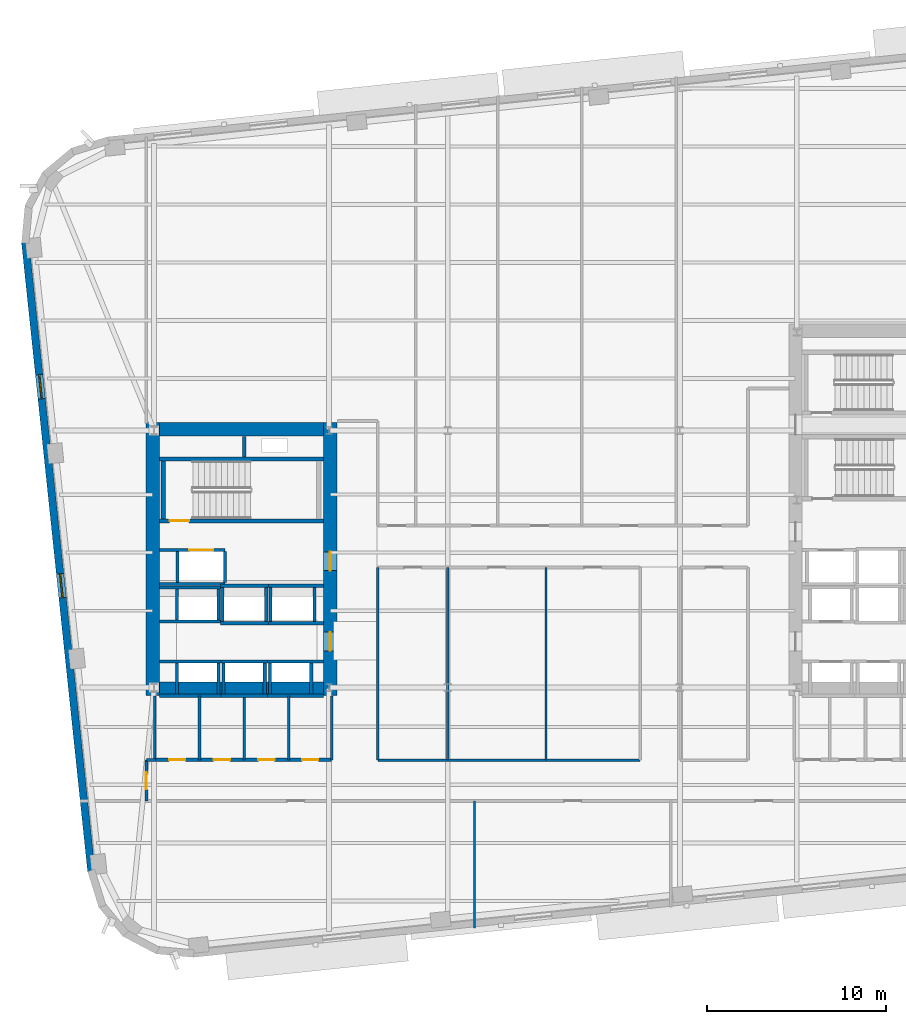
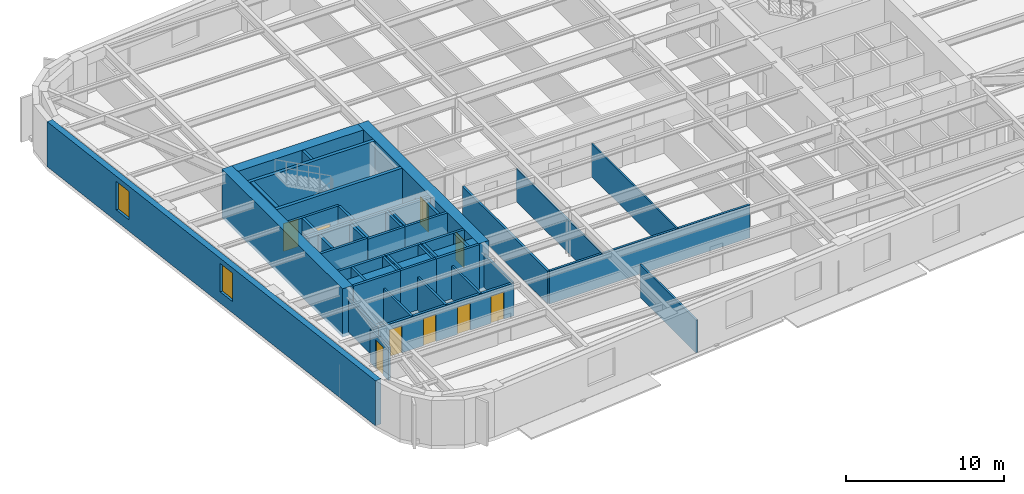
# One storey, part 4 of 15: 50 walls, 9 doors, 2 windows, 11 openings.
"""IFC4 building model written with IfcOpenShell, lengths in metres."""

from ifc_helpers import new_model, si_unit, direction, frame, frame_2d, origin, place, context, subcontext, project, spatial, rectangle, extrude, material, layer, layer_set, type_object, element, fill, save


model = new_model("IFC4")

# Units and contexts
model_context = context("Model", 3, precision=1e-05, world=origin(), true_north=direction((0.0, 1.0)))
body_context = subcontext(model_context, "Body", "Model", "MODEL_VIEW")
ifc_project = project(units=[si_unit("LENGTHUNIT", "METRE"), si_unit("AREAUNIT", "SQUARE_METRE"), si_unit("VOLUMEUNIT", "CUBIC_METRE"), si_unit("PLANEANGLEUNIT", "RADIAN"), si_unit("MASSUNIT", "GRAM", prefix="KILO")], contexts=[model_context])

# Site, building, storey
site_placement = place(None, origin())
site = spatial("IfcSite", under=ifc_project, at=site_placement, CompositionType="ELEMENT")
building_placement = place(site_placement, origin())
building = spatial("IfcBuilding", under=site, at=building_placement, Name="Kolvaren Arena Tower", CompositionType="ELEMENT")
storey_placement = place(building_placement, frame((0.0, 0.0, 118.449951171875)))
storey = spatial("IfcBuildingStorey", under=building, at=storey_placement, Name="L27", CompositionType="ELEMENT", Elevation=118.449951171875)

# Walls
ifc_material_1 = material(Name="Gypsum board acoustic assembly", Category="gypsum")
ifc_layer_1 = layer(ifc_material_1, 0.159912109375)
ifc_layer_set_1 = layer_set([ifc_layer_1], Name="Gypsum board acoustic assembly")
wall_type_1 = type_object("IfcWallType", Name="CORR-160", PredefinedType="PARTITIONING", material=ifc_layer_set_1)
wall_1_placement = place(storey_placement, frame((27.10009765625, 15.3798828125, 0.0), z_axis=(0.0, 0.0, 1.0), x_axis=(1.0, 0.0, 0.0)))
element("IfcWall", 1, at=wall_1_placement, inside=storey, type_object=wall_type_1, Name="Interior Partition Wall (L27)", PredefinedType="PARTITIONING", context=body_context, shape_type="SweptSolid", body=[
    extrude(rectangle(XDim=14.659912109375, YDim=0.159912109375, at=frame_2d((7.330078125, 0.0))), origin(), (0.0, 0.0, 1.0), 2.5400390625),
])
wall_2_placement = place(storey_placement, frame((27.080078125, 15.3798828125, 0.0), z_axis=(0.0, 0.0, 1.0), x_axis=(0.0, 1.0, 0.0)))
element("IfcWall", 2, at=wall_2_placement, inside=storey, type_object=wall_type_1, Name="Interior Partition Wall (L27)", PredefinedType="PARTITIONING", context=body_context, shape_type="SweptSolid", body=[
    extrude(rectangle(XDim=10.800048828125, YDim=0.159912109375, at=frame_2d((5.39990234375, 0.0))), origin(), (0.0, 0.0, 1.0), 2.5400390625),
])

# Wall, opening, door
wall_3_placement = place(storey_placement, frame((14.1201171875, 13.10009765625, 0.0), z_axis=(0.0, 0.0, 1.0), x_axis=(0.0, 1.0, 0.0)))
wall_3 = element("IfcWall", 3, at=wall_3_placement, inside=storey, type_object=wall_type_1, Name="Interior Partition Wall (L27)", PredefinedType="PARTITIONING", context=body_context, shape_type="SweptSolid", body=[
    extrude(rectangle(XDim=2.2998046875, YDim=0.159912109375, at=frame_2d((1.14990234375, 0.0))), origin(), (0.0, 0.0, 1.0), 2.5400390625),
])
opening_1_placement = place(wall_3_placement, frame((0.64990234375, 0.0, 0.0)))
opening_1 = element("IfcOpeningElement", 4, at=opening_1_placement, cuts=wall_3, Name="Opening D05", PredefinedType="OPENING", context=body_context, shape_type="SweptSolid", body=[
    extrude(rectangle(XDim=0.949951171875, YDim=2.14990234375, at=frame_2d((0.47509765625, 1.074951171875))), frame((0.0, 0.08984375, 0.0), z_axis=(0.0, -1.0, 0.0), x_axis=(1.0, 0.0, 0.0)), (0.0, 0.0, 1.0), 0.179931640625),
])
ifc_material_2 = material(Name="Solid-core oak acoustic office door", Category="wood")
door_type_1 = type_object("IfcDoorType", Name="DOOR-OF-095", OperationType="NOTDEFINED", PredefinedType="DOOR", material=ifc_material_2)
door_1_placement = place(opening_1_placement, origin())
door_1 = element("IfcDoor", 5, at=door_1_placement, inside=storey, type_object=door_type_1, Name="West Wing Office Door (L27)", OperationType="SINGLE_SWING_LEFT", OverallHeight=2.14990234375, OverallWidth=0.949951171875, PredefinedType="DOOR", context=body_context, shape_type="SweptSolid", body=[
    extrude(rectangle(XDim=0.949951171875, YDim=2.14990234375, at=frame_2d((0.47509765625, 1.074951171875))), frame((0.0, 0.02490234375, 0.0), z_axis=(0.0, -1.0, 0.0), x_axis=(1.0, 0.0, 0.0)), (0.0, 0.0, 1.0), 0.050048828125),
])
fill(opening_1, door_1)

# Walls
wall_4_placement = place(storey_placement, frame((14.1201171875, 15.39990234375, 0.0), z_axis=(0.0, 0.0, 1.0), x_axis=(1.0, 0.0, 0.0)))
element("IfcWall", 6, at=wall_4_placement, inside=storey, type_object=wall_type_1, Name="Interior Partition Wall (L27)", PredefinedType="PARTITIONING", context=body_context, shape_type="SweptSolid", body=[
    extrude(rectangle(XDim=0.5, YDim=0.159912109375, at=frame_2d((0.25, 0.0))), origin(), (0.0, 0.0, 1.0), 2.5400390625),
])
ifc_material_3 = material(Name="Concrete 70 MPa", Category="concrete")
ifc_layer_2 = layer(ifc_material_3, 0.75)
ifc_layer_set_2 = layer_set([ifc_layer_2], Name="Concrete 70 MPa")
wall_type_2 = type_object("IfcWallType", Name="CWALL-750", PredefinedType="SHEAR", material=ifc_layer_set_2)
wall_5_placement = place(storey_placement, frame((14.47509765625, 19.0, -0.27001953125), z_axis=(0.0, 0.0, 1.0), x_axis=(0.0, 1.0, 0.0)))
element("IfcWall", 7, at=wall_5_placement, inside=storey, type_object=wall_type_2, Name="Core Shear Wall WC-WEST (L27)", PredefinedType="SHEAR", context=body_context, shape_type="SweptSolid", body=[
    extrude(rectangle(XDim=15.300048828125, YDim=0.75, at=frame_2d((7.64990234375, 0.0))), origin(), (0.0, 0.0, 1.0), 3.75),
])

# Wall, openings, doors
wall_6_placement = place(storey_placement, frame((24.425048828125, 19.0, -0.27001953125), z_axis=(0.0, 0.0, 1.0), x_axis=(0.0, 1.0, 0.0)))
wall_6 = element("IfcWall", 8, at=wall_6_placement, inside=storey, type_object=wall_type_2, Name="Core Shear Wall WC-EAST (L27)", PredefinedType="SHEAR", context=body_context, shape_type="SweptSolid", body=[
    extrude(rectangle(XDim=15.300048828125, YDim=0.75, at=frame_2d((7.64990234375, 0.0))), origin(), (0.0, 0.0, 1.0), 3.75),
])
opening_2_placement = place(wall_6_placement, frame((2.5, 0.0, 0.27001953125)))
opening_2 = element("IfcOpeningElement", 9, at=opening_2_placement, cuts=wall_6, Name="Opening D04", PredefinedType="OPENING", context=body_context, shape_type="SweptSolid", body=[
    extrude(rectangle(XDim=1.050048828125, YDim=2.14990234375, at=frame_2d((0.52490234375, 1.074951171875))), frame((0.0, 0.385009765625, 0.0), z_axis=(0.0, -1.0, 0.0), x_axis=(1.0, 0.0, 0.0)), (0.0, 0.0, 1.0), 0.77001953125),
])
opening_3_placement = place(wall_6_placement, frame((7.0, 0.0, 0.27001953125)))
opening_3 = element("IfcOpeningElement", 10, at=opening_3_placement, cuts=wall_6, Name="Opening D04", PredefinedType="OPENING", context=body_context, shape_type="SweptSolid", body=[
    extrude(rectangle(XDim=1.050048828125, YDim=2.14990234375, at=frame_2d((0.52490234375, 1.074951171875))), frame((0.0, 0.385009765625, 0.0), z_axis=(0.0, -1.0, 0.0), x_axis=(1.0, 0.0, 0.0)), (0.0, 0.0, 1.0), 0.77001953125),
])
ifc_material_4 = material(Name="Fire-rated steel lobby door", Category="steel")
door_type_2 = type_object("IfcDoorType", Name="DOOR-FF-105", OperationType="NOTDEFINED", PredefinedType="DOOR", material=ifc_material_4)
door_2_placement = place(opening_2_placement, origin())
door_2 = element("IfcDoor", 11, at=door_2_placement, inside=storey, type_object=door_type_2, Name="West Lift Lobby Fire Door (L27)", OperationType="SINGLE_SWING_LEFT", OverallHeight=2.14990234375, OverallWidth=1.050048828125, PredefinedType="DOOR", context=body_context, shape_type="SweptSolid", body=[
    extrude(rectangle(XDim=1.050048828125, YDim=2.14990234375, at=frame_2d((0.52490234375, 1.074951171875))), frame((0.0, 0.02490234375, 0.0), z_axis=(0.0, -1.0, 0.0), x_axis=(1.0, 0.0, 0.0)), (0.0, 0.0, 1.0), 0.050048828125),
])
fill(opening_2, door_2)
door_3_placement = place(opening_3_placement, origin())
door_3 = element("IfcDoor", 12, at=door_3_placement, inside=storey, type_object=door_type_2, Name="West Firefighter Vestibule Door (L27)", OperationType="SINGLE_SWING_RIGHT", OverallHeight=2.14990234375, OverallWidth=1.050048828125, PredefinedType="DOOR", context=body_context, shape_type="SweptSolid", body=[
    extrude(rectangle(XDim=1.050048828125, YDim=2.14990234375, at=frame_2d((0.52490234375, 1.074951171875))), frame((0.0, 0.02490234375, 0.0), z_axis=(0.0, -1.0, 0.0), x_axis=(1.0, 0.0, 0.0)), (0.0, 0.0, 1.0), 0.050048828125),
])
fill(opening_3, door_3)

# Walls
for number, where, z_axis, x_axis, name in (
    (13, (14.85009765625, 19.375, -0.27001953125), (0.0, 0.0, 1.0), (1.0, 0.0, 0.0), "Core Shear Wall WC-SOUTH (L27)"),
    (14, (14.85009765625, 33.925048828125, -0.27001953125), (0.0, 0.0, 1.0), (1.0, 0.0, 0.0), "Core Shear Wall WC-NORTH (L27)"),
):
    element("IfcWall", number, at=place(storey_placement, frame(where, z_axis=z_axis, x_axis=x_axis)), inside=storey, type_object=wall_type_2, Name=name, PredefinedType="SHEAR", context=body_context, shape_type="SweptSolid", body=[
        extrude(rectangle(XDim=9.199951171875, YDim=0.75, at=frame_2d((4.60009765625, 0.0))), origin(), (0.0, 0.0, 1.0), 3.75),
    ])

# Wall, openings, windows
ifc_material_5 = material(Name="Precast concrete C50/60", Category="concrete")
ifc_layer_3 = layer(ifc_material_5, 0.419921875)
ifc_layer_set_3 = layer_set([ifc_layer_3], Name="Precast concrete C50/60")
wall_type_3 = type_object("IfcWallType", Name="EXT-PIER1", PredefinedType="SOLIDWALL", material=ifc_layer_set_3)
wall_7_placement = place(storey_placement, frame((11.039794921875, 9.16943359375, 0.0), z_axis=(0.0, 0.0, 1.0), x_axis=(-0.104532207177, 0.99452150186, 0.0)))
wall_7 = element("IfcWall", 15, at=wall_7_placement, inside=storey, type_object=wall_type_3, Name="Exterior Precast Masonry-Frame Wall (L27)", PredefinedType="SOLIDWALL", context=body_context, shape_type="SweptSolid", body=[
    extrude(rectangle(XDim=35.39990234375, YDim=0.419921875, at=frame_2d((17.699951171875, 0.0))), origin(), (0.0, 0.0, 1.0), 3.47998046875),
])
opening_4_placement = place(wall_7_placement, frame((15.39990234375, 0.0, 0.8798828125)))
opening_4 = element("IfcOpeningElement", 16, at=opening_4_placement, cuts=wall_7, Name="Opening W04", PredefinedType="OPENING", context=body_context, shape_type="SweptSolid", body=[
    extrude(rectangle(XDim=1.35009765625, YDim=2.199951171875, at=frame_2d((0.675048828125, 1.10009765625))), frame((0.0, 0.219970703125, 0.0), z_axis=(0.0, -1.0, 0.0), x_axis=(1.0, 0.0, 0.0)), (0.0, 0.0, 1.0), 0.43994140625),
])
opening_5_placement = place(wall_7_placement, frame((26.60009765625, 0.0, 0.8798828125)))
opening_5 = element("IfcOpeningElement", 17, at=opening_5_placement, cuts=wall_7, Name="Opening W04", PredefinedType="OPENING", context=body_context, shape_type="SweptSolid", body=[
    extrude(rectangle(XDim=1.35009765625, YDim=2.199951171875, at=frame_2d((0.675048828125, 1.10009765625))), frame((0.0, 0.219970703125, 0.0), z_axis=(0.0, -1.0, 0.0), x_axis=(1.0, 0.0, 0.0)), (0.0, 0.0, 1.0), 0.43994140625),
])
ifc_material_6 = material(Name="Triple-glazed curved-facet corner window", Category="glass")
window_type = type_object("IfcWindowType", Name="WIN-CRN-A", PartitioningType="SINGLE_PANEL", PredefinedType="WINDOW", material=ifc_material_6)
window_1_placement = place(opening_4_placement, origin())
window_1 = element("IfcWindow", 18, at=window_1_placement, inside=storey, type_object=window_type, Name="End-Wall Punched Window (L27)", OverallHeight=2.199951171875, OverallWidth=1.35009765625, PartitioningType="SINGLE_PANEL", PredefinedType="WINDOW", context=body_context, shape_type="SweptSolid", body=[
    extrude(rectangle(XDim=1.35009765625, YDim=2.199951171875, at=frame_2d((0.675048828125, 1.10009765625))), frame((0.0, 0.030029296875, 0.0), z_axis=(0.0, -1.0, 0.0), x_axis=(1.0, 0.0, 0.0)), (0.0, 0.0, 1.0), 0.06005859375),
])
fill(opening_4, window_1)
window_2_placement = place(opening_5_placement, origin())
window_2 = element("IfcWindow", 19, at=window_2_placement, inside=storey, type_object=window_type, Name="End-Wall Punched Window (L27)", OverallHeight=2.199951171875, OverallWidth=1.35009765625, PartitioningType="SINGLE_PANEL", PredefinedType="WINDOW", context=body_context, shape_type="SweptSolid", body=[
    extrude(rectangle(XDim=1.35009765625, YDim=2.199951171875, at=frame_2d((0.675048828125, 1.10009765625))), frame((0.0, 0.030029296875, 0.0), z_axis=(0.0, -1.0, 0.0), x_axis=(1.0, 0.0, 0.0)), (0.0, 0.0, 1.0), 0.06005859375),
])
fill(opening_5, window_2)

# Walls
ifc_material_7 = material(Name="Gypsum board partition assembly", Category="gypsum")
ifc_layer_4 = layer(ifc_material_7, 0.114990234375)
ifc_layer_set_4 = layer_set([ifc_layer_4], Name="Gypsum board partition assembly")
wall_type_4 = type_object("IfcWallType", Name="PART-115", PredefinedType="PARTITIONING", material=ifc_layer_set_4)
for number, where, z_axis, x_axis, name in (
    (20, (31.0, 15.3798828125, 0.0), (0.0, 0.0, 1.0), (0.0, 1.0, 0.0), "Interior Partition Wall (L27)"),
    (21, (36.5, 15.3798828125, 0.0), (0.0, 0.0, 1.0), (0.0, 1.0, 0.0), "Interior Partition Wall (L27)"),
):
    element("IfcWall", number, at=place(storey_placement, frame(where, z_axis=z_axis, x_axis=x_axis)), inside=storey, type_object=wall_type_4, Name=name, PredefinedType="PARTITIONING", context=body_context, shape_type="SweptSolid", body=[
        extrude(rectangle(XDim=10.800048828125, YDim=0.114990234375, at=frame_2d((5.39990234375, 0.0))), origin(), (0.0, 0.0, 1.0), 2.5400390625),
    ])
ifc_layer_5 = layer(ifc_material_7, 0.135009765625)
ifc_layer_set_5 = layer_set([ifc_layer_5], Name="Gypsum board partition assembly")
wall_type_5 = type_object("IfcWallType", Name="PART-135", PredefinedType="PARTITIONING", material=ifc_layer_set_5)
wall_8_placement = place(storey_placement, frame((32.5, 5.995361328125, 0.0), z_axis=(0.0, 0.0, 1.0), x_axis=(0.0, 1.0, 0.0)))
element("IfcWall", 22, at=wall_8_placement, inside=storey, type_object=wall_type_5, Name="Interior Partition Wall (L27)", PredefinedType="PARTITIONING", context=body_context, shape_type="SweptSolid", body=[
    extrude(rectangle(XDim=7.104736328125, YDim=0.135009765625, at=frame_2d((3.55224609375, 0.0))), origin(), (0.0, 0.0, 1.0), 2.5400390625),
])

# Wall, opening, door
ifc_material_8 = material(Name="Concrete 45 MPa", Category="concrete")
ifc_layer_6 = layer(ifc_material_8, 0.25)
ifc_layer_set_6 = layer_set([ifc_layer_6], Name="Concrete 45 MPa")
wall_type_6 = type_object("IfcWallType", Name="SHAFT-250", PredefinedType="SOLIDWALL", material=ifc_layer_set_6)
wall_9_placement = place(storey_placement, frame((24.050048828125, 28.780029296875, 0.0), z_axis=(0.0, 0.0, 1.0), x_axis=(-1.0, 0.0, 0.0)))
wall_9 = element("IfcWall", 23, at=wall_9_placement, inside=storey, type_object=wall_type_6, Name="Core Shaft Wall (L27)", PredefinedType="SOLIDWALL", context=body_context, shape_type="SweptSolid", body=[
    extrude(rectangle(XDim=9.199951171875, YDim=0.239990234375, at=frame_2d((4.60009765625, 0.0))), origin(), (0.0, 0.0, 1.0), 3.47998046875),
])
opening_6_placement = place(wall_9_placement, frame((7.530029296875, 0.0, 0.0)))
opening_6 = element("IfcOpeningElement", 24, at=opening_6_placement, cuts=wall_9, Name="Opening D03", PredefinedType="OPENING", context=body_context, shape_type="SweptSolid", body=[
    extrude(rectangle(XDim=1.10009765625, YDim=2.14990234375, at=frame_2d((0.550048828125, 1.074951171875))), frame((0.0, 0.1298828125, 0.0), z_axis=(0.0, -1.0, 0.0), x_axis=(1.0, 0.0, 0.0)), (0.0, 0.0, 1.0), 0.260009765625),
])
ifc_material_9 = material(Name="Fire-rated steel exit stair door", Category="steel")
door_type_3 = type_object("IfcDoorType", Name="DOOR-ST-110", OperationType="NOTDEFINED", PredefinedType="DOOR", material=ifc_material_9)
door_4_placement = place(opening_6_placement, origin())
door_4 = element("IfcDoor", 25, at=door_4_placement, inside=storey, type_object=door_type_3, Name="Stair ST-W1 Fire Door (L27)", OperationType="SINGLE_SWING_RIGHT", OverallHeight=2.14990234375, OverallWidth=1.10009765625, PredefinedType="DOOR", context=body_context, shape_type="SweptSolid", body=[
    extrude(rectangle(XDim=1.10009765625, YDim=2.14990234375, at=frame_2d((0.550048828125, 1.074951171875))), frame((0.0, 0.02490234375, 0.0), z_axis=(0.0, -1.0, 0.0), x_axis=(1.0, 0.0, 0.0)), (0.0, 0.0, 1.0), 0.050048828125),
])
fill(opening_6, door_4)

# Walls
wall_10_placement = place(storey_placement, frame((14.85009765625, 32.25, 0.0), z_axis=(0.0, 0.0, 1.0), x_axis=(1.0, 0.0, 0.0)))
element("IfcWall", 26, at=wall_10_placement, inside=storey, type_object=wall_type_6, Name="Core Shaft Wall (L27)", PredefinedType="SOLIDWALL", context=body_context, shape_type="SweptSolid", body=[
    extrude(rectangle(XDim=9.199951171875, YDim=0.239990234375, at=frame_2d((4.60009765625, 0.0))), origin(), (0.0, 0.0, 1.0), 3.47998046875),
])
wall_11_placement = place(storey_placement, frame((15.06005859375, 28.89990234375, 0.0), z_axis=(0.0, 0.0, 1.0), x_axis=(0.0, 1.0, 0.0)))
element("IfcWall", 27, at=wall_11_placement, inside=storey, type_object=wall_type_6, Name="Core Shaft Wall (L27)", PredefinedType="SOLIDWALL", context=body_context, shape_type="SweptSolid", body=[
    extrude(rectangle(XDim=3.22998046875, YDim=0.239990234375, at=frame_2d((1.614990234375, 0.0))), origin(), (0.0, 0.0, 1.0), 3.47998046875),
])
wall_12_placement = place(storey_placement, frame((19.60009765625, 32.3701171875, 0.0), z_axis=(0.0, 0.0, 1.0), x_axis=(0.0, 1.0, 0.0)))
element("IfcWall", 28, at=wall_12_placement, inside=storey, type_object=wall_type_6, Name="Core Shaft Wall (L27)", PredefinedType="SOLIDWALL", context=body_context, shape_type="SweptSolid", body=[
    extrude(rectangle(XDim=1.1298828125, YDim=0.199951171875, at=frame_2d((0.56494140625, 0.0))), origin(), (0.0, 0.0, 1.0), 3.47998046875),
])
for number, where, z_axis, x_axis, name in (
    (29, (14.85009765625, 20.905029296875, 0.0), (0.0, 0.0, 1.0), (1.0, 0.0, 0.0), "Core Shaft Wall (L27)"),
    (30, (14.85009765625, 18.9951171875, 0.0), (0.0, 0.0, 1.0), (1.0, 0.0, 0.0), "Core Shaft Wall (L27)"),
):
    element("IfcWall", number, at=place(storey_placement, frame(where, z_axis=z_axis, x_axis=x_axis)), inside=storey, type_object=wall_type_6, Name=name, PredefinedType="SOLIDWALL", context=body_context, shape_type="SweptSolid", body=[
        extrude(rectangle(XDim=3.449951171875, YDim=0.179931640625, at=frame_2d((1.72509765625, 0.0))), origin(), (0.0, 0.0, 1.0), 3.47998046875),
    ])
for number, where, z_axis, x_axis, name in (
    (31, (15.844970703125, 19.0849609375, 0.0), (0.0, 0.0, 1.0), (0.0, 1.0, 0.0), "Core Shaft Wall (L27)"),
    (32, (18.155029296875, 19.0849609375, 0.0), (0.0, 0.0, 1.0), (0.0, 1.0, 0.0), "Core Shaft Wall (L27)"),
):
    element("IfcWall", number, at=place(storey_placement, frame(where, z_axis=z_axis, x_axis=x_axis)), inside=storey, type_object=wall_type_6, Name=name, PredefinedType="SOLIDWALL", context=body_context, shape_type="SweptSolid", body=[
        extrude(rectangle(XDim=1.72998046875, YDim=0.179931640625, at=frame_2d((0.864990234375, 0.0))), origin(), (0.0, 0.0, 1.0), 3.47998046875),
    ])
for number, where, z_axis, x_axis, name in (
    (33, (18.300048828125, 20.905029296875, 0.0), (0.0, 0.0, 1.0), (1.0, 0.0, 0.0), "Core Shaft Wall (L27)"),
    (34, (18.300048828125, 18.9951171875, 0.0), (0.0, 0.0, 1.0), (1.0, 0.0, 0.0), "Core Shaft Wall (L27)"),
):
    element("IfcWall", number, at=place(storey_placement, frame(where, z_axis=z_axis, x_axis=x_axis)), inside=storey, type_object=wall_type_6, Name=name, PredefinedType="SOLIDWALL", context=body_context, shape_type="SweptSolid", body=[
        extrude(rectangle(XDim=2.599853515625, YDim=0.179931640625, at=frame_2d((1.2998046875, 0.0))), origin(), (0.0, 0.0, 1.0), 3.47998046875),
    ])
for number, where, z_axis, x_axis, name in (
    (35, (18.445068359375, 19.0849609375, 0.0), (0.0, 0.0, 1.0), (0.0, 1.0, 0.0), "Core Shaft Wall (L27)"),
    (36, (20.7548828125, 19.0849609375, 0.0), (0.0, 0.0, 1.0), (0.0, 1.0, 0.0), "Core Shaft Wall (L27)"),
):
    element("IfcWall", number, at=place(storey_placement, frame(where, z_axis=z_axis, x_axis=x_axis)), inside=storey, type_object=wall_type_6, Name=name, PredefinedType="SOLIDWALL", context=body_context, shape_type="SweptSolid", body=[
        extrude(rectangle(XDim=1.72998046875, YDim=0.179931640625, at=frame_2d((0.864990234375, 0.0))), origin(), (0.0, 0.0, 1.0), 3.47998046875),
    ])
for number, where, z_axis, x_axis, name in (
    (37, (20.89990234375, 20.905029296875, 0.0), (0.0, 0.0, 1.0), (1.0, 0.0, 0.0), "Core Shaft Wall (L27)"),
    (38, (20.89990234375, 18.9951171875, 0.0), (0.0, 0.0, 1.0), (1.0, 0.0, 0.0), "Core Shaft Wall (L27)"),
):
    element("IfcWall", number, at=place(storey_placement, frame(where, z_axis=z_axis, x_axis=x_axis)), inside=storey, type_object=wall_type_6, Name=name, PredefinedType="SOLIDWALL", context=body_context, shape_type="SweptSolid", body=[
        extrude(rectangle(XDim=3.150146484375, YDim=0.179931640625, at=frame_2d((1.5751953125, 0.0))), origin(), (0.0, 0.0, 1.0), 3.47998046875),
    ])
for number, where, z_axis, x_axis, name in (
    (39, (21.044921875, 19.0849609375, 0.0), (0.0, 0.0, 1.0), (0.0, 1.0, 0.0), "Core Shaft Wall (L27)"),
    (40, (23.35498046875, 19.0849609375, 0.0), (0.0, 0.0, 1.0), (0.0, 1.0, 0.0), "Core Shaft Wall (L27)"),
):
    element("IfcWall", number, at=place(storey_placement, frame(where, z_axis=z_axis, x_axis=x_axis)), inside=storey, type_object=wall_type_6, Name=name, PredefinedType="SOLIDWALL", context=body_context, shape_type="SweptSolid", body=[
        extrude(rectangle(XDim=1.72998046875, YDim=0.179931640625, at=frame_2d((0.864990234375, 0.0))), origin(), (0.0, 0.0, 1.0), 3.47998046875),
    ])
for number, where, z_axis, x_axis, name in (
    (41, (14.85009765625, 25.054931640625, 0.0), (0.0, 0.0, 1.0), (1.0, 0.0, 0.0), "Core Shaft Wall (L27)"),
    (42, (14.85009765625, 23.14501953125, 0.0), (0.0, 0.0, 1.0), (1.0, 0.0, 0.0), "Core Shaft Wall (L27)"),
):
    element("IfcWall", number, at=place(storey_placement, frame(where, z_axis=z_axis, x_axis=x_axis)), inside=storey, type_object=wall_type_6, Name=name, PredefinedType="SOLIDWALL", context=body_context, shape_type="SweptSolid", body=[
        extrude(rectangle(XDim=3.412353515625, YDim=0.179931640625, at=frame_2d((1.7060546875, 0.0))), origin(), (0.0, 0.0, 1.0), 3.47998046875),
    ])
for number, where, z_axis, x_axis, name in (
    (43, (15.844970703125, 23.235107421875, 0.0), (0.0, 0.0, 1.0), (0.0, 1.0, 0.0), "Core Shaft Wall (L27)"),
    (44, (18.155029296875, 23.235107421875, 0.0), (0.0, 0.0, 1.0), (0.0, 1.0, 0.0), "Core Shaft Wall (L27)"),
):
    element("IfcWall", number, at=place(storey_placement, frame(where, z_axis=z_axis, x_axis=x_axis)), inside=storey, type_object=wall_type_6, Name=name, PredefinedType="SOLIDWALL", context=body_context, shape_type="SweptSolid", body=[
        extrude(rectangle(XDim=1.72998046875, YDim=0.179931640625, at=frame_2d((0.864990234375, 0.0))), origin(), (0.0, 0.0, 1.0), 3.47998046875),
    ])
for number, where, z_axis, x_axis, name in (
    (45, (18.262451171875, 25.155029296875, 0.0), (0.0, 0.0, 1.0), (1.0, 0.0, 0.0), "Core Shaft Wall (L27)"),
    (46, (18.262451171875, 23.044921875, 0.0), (0.0, 0.0, 1.0), (1.0, 0.0, 0.0), "Core Shaft Wall (L27)"),
):
    element("IfcWall", number, at=place(storey_placement, frame(where, z_axis=z_axis, x_axis=x_axis)), inside=storey, type_object=wall_type_6, Name=name, PredefinedType="SOLIDWALL", context=body_context, shape_type="SweptSolid", body=[
        extrude(rectangle(XDim=2.6875, YDim=0.179931640625, at=frame_2d((1.34375, 0.0))), origin(), (0.0, 0.0, 1.0), 3.47998046875),
    ])
for number, where, z_axis, x_axis, name in (
    (47, (18.3701171875, 23.135009765625, 0.0), (0.0, 0.0, 1.0), (0.0, 1.0, 0.0), "Core Shaft Wall (L27)"),
    (48, (20.830078125, 23.135009765625, 0.0), (0.0, 0.0, 1.0), (0.0, 1.0, 0.0), "Core Shaft Wall (L27)"),
):
    element("IfcWall", number, at=place(storey_placement, frame(where, z_axis=z_axis, x_axis=x_axis)), inside=storey, type_object=wall_type_6, Name=name, PredefinedType="SOLIDWALL", context=body_context, shape_type="SweptSolid", body=[
        extrude(rectangle(XDim=1.929931640625, YDim=0.179931640625, at=frame_2d((0.96484375, 0.0))), origin(), (0.0, 0.0, 1.0), 3.47998046875),
    ])
for number, where, z_axis, x_axis, name in (
    (49, (20.949951171875, 25.155029296875, 0.0), (0.0, 0.0, 1.0), (1.0, 0.0, 0.0), "Core Shaft Wall (L27)"),
    (50, (20.949951171875, 23.044921875, 0.0), (0.0, 0.0, 1.0), (1.0, 0.0, 0.0), "Core Shaft Wall (L27)"),
):
    element("IfcWall", number, at=place(storey_placement, frame(where, z_axis=z_axis, x_axis=x_axis)), inside=storey, type_object=wall_type_6, Name=name, PredefinedType="SOLIDWALL", context=body_context, shape_type="SweptSolid", body=[
        extrude(rectangle(XDim=3.10009765625, YDim=0.179931640625, at=frame_2d((1.550048828125, 0.0))), origin(), (0.0, 0.0, 1.0), 3.47998046875),
    ])
for number, where, z_axis, x_axis, name in (
    (51, (21.070068359375, 23.135009765625, 0.0), (0.0, 0.0, 1.0), (0.0, 1.0, 0.0), "Core Shaft Wall (L27)"),
    (52, (23.530029296875, 23.135009765625, 0.0), (0.0, 0.0, 1.0), (0.0, 1.0, 0.0), "Core Shaft Wall (L27)"),
):
    element("IfcWall", number, at=place(storey_placement, frame(where, z_axis=z_axis, x_axis=x_axis)), inside=storey, type_object=wall_type_6, Name=name, PredefinedType="SOLIDWALL", context=body_context, shape_type="SweptSolid", body=[
        extrude(rectangle(XDim=1.929931640625, YDim=0.179931640625, at=frame_2d((0.96484375, 0.0))), origin(), (0.0, 0.0, 1.0), 3.47998046875),
    ])

# Wall, opening, door
wall_13_placement = place(storey_placement, frame((14.85009765625, 27.155029296875, 0.0), z_axis=(0.0, 0.0, 1.0), x_axis=(1.0, 0.0, 0.0)))
wall_13 = element("IfcWall", 53, at=wall_13_placement, inside=storey, type_object=wall_type_6, Name="Core Shaft Wall (L27)", PredefinedType="SOLIDWALL", context=body_context, shape_type="SweptSolid", body=[
    extrude(rectangle(XDim=3.679931640625, YDim=0.179931640625, at=frame_2d((1.83984375, 0.0))), origin(), (0.0, 0.0, 1.0), 3.47998046875),
])
opening_7_placement = place(wall_13_placement, frame((1.675048828125, 0.0, 0.0)))
opening_7 = element("IfcOpeningElement", 54, at=opening_7_placement, cuts=wall_13, Name="Opening LD2", PredefinedType="OPENING", context=body_context, shape_type="SweptSolid", body=[
    extrude(rectangle(XDim=1.35009765625, YDim=2.300048828125, at=frame_2d((0.675048828125, 1.14990234375))), frame((0.0, 0.099853515625, 0.0), z_axis=(0.0, -1.0, 0.0), x_axis=(1.0, 0.0, 0.0)), (0.0, 0.0, 1.0), 0.199951171875),
])
ifc_material_10 = material(Name="Stainless steel firefighter lift landing door", Category="steel")
door_type_4 = type_object("IfcDoorType", Name="DOOR-LD-135", OperationType="DOUBLE_DOOR_SLIDING", PredefinedType="DOOR", material=ifc_material_10)
door_5_placement = place(opening_7_placement, origin())
door_5 = element("IfcDoor", 55, at=door_5_placement, inside=storey, type_object=door_type_4, Name="Firefighter Lift FF-W1 Landing Door (L27)", OperationType="DOUBLE_DOOR_SLIDING", OverallHeight=2.300048828125, OverallWidth=1.35009765625, PredefinedType="DOOR", context=body_context, shape_type="SweptSolid", body=[
    extrude(rectangle(XDim=1.35009765625, YDim=2.300048828125, at=frame_2d((0.675048828125, 1.14990234375))), frame((0.0, 0.02490234375, 0.0), z_axis=(0.0, -1.0, 0.0), x_axis=(1.0, 0.0, 0.0)), (0.0, 0.0, 1.0), 0.050048828125),
])
fill(opening_7, door_5)

# Walls
wall_14_placement = place(storey_placement, frame((14.85009765625, 25.2451171875, 0.0), z_axis=(0.0, 0.0, 1.0), x_axis=(1.0, 0.0, 0.0)))
element("IfcWall", 56, at=wall_14_placement, inside=storey, type_object=wall_type_6, Name="Core Shaft Wall (L27)", PredefinedType="SOLIDWALL", context=body_context, shape_type="SweptSolid", body=[
    extrude(rectangle(XDim=3.679931640625, YDim=0.179931640625, at=frame_2d((1.83984375, 0.0))), origin(), (0.0, 0.0, 1.0), 3.47998046875),
])
for number, where, z_axis, x_axis, name in (
    (57, (15.8701171875, 25.3349609375, 0.0), (0.0, 0.0, 1.0), (0.0, 1.0, 0.0), "Core Shaft Wall (L27)"),
    (58, (18.530029296875, 25.3349609375, 0.0), (0.0, 0.0, 1.0), (0.0, 1.0, 0.0), "Core Shaft Wall (L27)"),
):
    element("IfcWall", number, at=place(storey_placement, frame(where, z_axis=z_axis, x_axis=x_axis)), inside=storey, type_object=wall_type_6, Name=name, PredefinedType="SOLIDWALL", context=body_context, shape_type="SweptSolid", body=[
        extrude(rectangle(XDim=1.72998046875, YDim=0.179931640625, at=frame_2d((0.864990234375, 0.0))), origin(), (0.0, 0.0, 1.0), 3.47998046875),
    ])
ifc_material_11 = material(Name="Moisture-resistant gypsum assembly", Category="gypsum")
ifc_layer_7 = layer(ifc_material_11, 0.14990234375)
ifc_layer_set_7 = layer_set([ifc_layer_7], Name="Moisture-resistant gypsum assembly")
wall_type_7 = type_object("IfcWallType", Name="WETW-150", PredefinedType="PARTITIONING", material=ifc_layer_set_7)
for number, where, z_axis, x_axis, name in (
    (59, (17.10009765625, 15.39990234375, 0.0), (0.0, 0.0, 1.0), (0.0, 1.0, 0.0), "Interior Partition Wall (L27)"),
    (60, (19.60009765625, 15.39990234375, 0.0), (0.0, 0.0, 1.0), (0.0, 1.0, 0.0), "Interior Partition Wall (L27)"),
    (61, (22.10009765625, 15.39990234375, 0.0), (0.0, 0.0, 1.0), (0.0, 1.0, 0.0), "Interior Partition Wall (L27)"),
):
    element("IfcWall", number, at=place(storey_placement, frame(where, z_axis=z_axis, x_axis=x_axis)), inside=storey, type_object=wall_type_7, Name=name, PredefinedType="PARTITIONING", context=body_context, shape_type="SweptSolid", body=[
        extrude(rectangle(XDim=3.580078125, YDim=0.14990234375, at=frame_2d((1.7900390625, 0.0))), origin(), (0.0, 0.0, 1.0), 2.5400390625),
    ])

# Wall, openings, doors
wall_15_placement = place(storey_placement, frame((14.60009765625, 15.39990234375, 0.0), z_axis=(0.0, 0.0, 1.0), x_axis=(1.0, 0.0, 0.0)))
wall_15 = element("IfcWall", 62, at=wall_15_placement, inside=storey, type_object=wall_type_7, Name="Interior Partition Wall (L27)", PredefinedType="PARTITIONING", context=body_context, shape_type="SweptSolid", body=[
    extrude(rectangle(XDim=9.89990234375, YDim=0.179931640625, at=frame_2d((4.949951171875, 0.0))), origin(), (0.0, 0.0, 1.0), 2.5400390625),
])
opening_8_placement = place(wall_15_placement, frame((0.7900390625, 0.0, 0.0)))
opening_8 = element("IfcOpeningElement", 63, at=opening_8_placement, cuts=wall_15, Name="Opening D07", PredefinedType="OPENING", context=body_context, shape_type="SweptSolid", body=[
    extrude(rectangle(XDim=0.919921875, YDim=2.10009765625, at=frame_2d((0.4599609375, 1.050048828125))), frame((0.0, 0.099853515625, 0.0), z_axis=(0.0, -1.0, 0.0), x_axis=(1.0, 0.0, 0.0)), (0.0, 0.0, 1.0), 0.199951171875),
])
opening_9_placement = place(wall_15_placement, frame((3.2900390625, 0.0, 0.0)))
opening_9 = element("IfcOpeningElement", 64, at=opening_9_placement, cuts=wall_15, Name="Opening D07", PredefinedType="OPENING", context=body_context, shape_type="SweptSolid", body=[
    extrude(rectangle(XDim=0.919921875, YDim=2.10009765625, at=frame_2d((0.4599609375, 1.050048828125))), frame((0.0, 0.099853515625, 0.0), z_axis=(0.0, -1.0, 0.0), x_axis=(1.0, 0.0, 0.0)), (0.0, 0.0, 1.0), 0.199951171875),
])
opening_10_placement = place(wall_15_placement, frame((5.7900390625, 0.0, 0.0)))
opening_10 = element("IfcOpeningElement", 65, at=opening_10_placement, cuts=wall_15, Name="Opening D07", PredefinedType="OPENING", context=body_context, shape_type="SweptSolid", body=[
    extrude(rectangle(XDim=0.919921875, YDim=2.10009765625, at=frame_2d((0.4599609375, 1.050048828125))), frame((0.0, 0.099853515625, 0.0), z_axis=(0.0, -1.0, 0.0), x_axis=(1.0, 0.0, 0.0)), (0.0, 0.0, 1.0), 0.199951171875),
])
opening_11_placement = place(wall_15_placement, frame((8.239990234375, 0.0, 0.0)))
opening_11 = element("IfcOpeningElement", 66, at=opening_11_placement, cuts=wall_15, Name="Opening D07", PredefinedType="OPENING", context=body_context, shape_type="SweptSolid", body=[
    extrude(rectangle(XDim=0.919921875, YDim=2.10009765625, at=frame_2d((0.4599609375, 1.050048828125))), frame((0.0, 0.099853515625, 0.0), z_axis=(0.0, -1.0, 0.0), x_axis=(1.0, 0.0, 0.0)), (0.0, 0.0, 1.0), 0.199951171875),
])
ifc_material_12 = material(Name="Laminate universal washroom door", Category="wood")
door_type_5 = type_object("IfcDoorType", Name="DOOR-WC-092", OperationType="NOTDEFINED", PredefinedType="DOOR", material=ifc_material_12)
door_6_placement = place(opening_8_placement, origin())
door_6 = element("IfcDoor", 67, at=door_6_placement, inside=storey, type_object=door_type_5, Name="Women Restroom Door (L27)", OperationType="SINGLE_SWING_LEFT", OverallHeight=2.10009765625, OverallWidth=0.919921875, PredefinedType="DOOR", context=body_context, shape_type="SweptSolid", body=[
    extrude(rectangle(XDim=0.919921875, YDim=2.10009765625, at=frame_2d((0.4599609375, 1.050048828125))), frame((0.0, 0.02490234375, 0.0), z_axis=(0.0, -1.0, 0.0), x_axis=(1.0, 0.0, 0.0)), (0.0, 0.0, 1.0), 0.050048828125),
])
fill(opening_8, door_6)
door_7_placement = place(opening_9_placement, origin())
door_7 = element("IfcDoor", 68, at=door_7_placement, inside=storey, type_object=door_type_5, Name="Men Restroom Door (L27)", OperationType="SINGLE_SWING_RIGHT", OverallHeight=2.10009765625, OverallWidth=0.919921875, PredefinedType="DOOR", context=body_context, shape_type="SweptSolid", body=[
    extrude(rectangle(XDim=0.919921875, YDim=2.10009765625, at=frame_2d((0.4599609375, 1.050048828125))), frame((0.0, 0.02490234375, 0.0), z_axis=(0.0, -1.0, 0.0), x_axis=(1.0, 0.0, 0.0)), (0.0, 0.0, 1.0), 0.050048828125),
])
fill(opening_9, door_7)
door_8_placement = place(opening_10_placement, origin())
door_8 = element("IfcDoor", 69, at=door_8_placement, inside=storey, type_object=door_type_5, Name="Universal Barrier-Free Washroom Door (L27)", OperationType="SINGLE_SWING_LEFT", OverallHeight=2.10009765625, OverallWidth=0.919921875, PredefinedType="DOOR", context=body_context, shape_type="SweptSolid", body=[
    extrude(rectangle(XDim=0.919921875, YDim=2.10009765625, at=frame_2d((0.4599609375, 1.050048828125))), frame((0.0, 0.02490234375, 0.0), z_axis=(0.0, -1.0, 0.0), x_axis=(1.0, 0.0, 0.0)), (0.0, 0.0, 1.0), 0.050048828125),
])
fill(opening_10, door_8)
door_9_placement = place(opening_11_placement, origin())
door_9 = element("IfcDoor", 70, at=door_9_placement, inside=storey, type_object=door_type_5, Name="Linen Store Door (L27)", OperationType="SINGLE_SWING_RIGHT", OverallHeight=2.10009765625, OverallWidth=0.919921875, PredefinedType="DOOR", context=body_context, shape_type="SweptSolid", body=[
    extrude(rectangle(XDim=0.919921875, YDim=2.10009765625, at=frame_2d((0.4599609375, 1.050048828125))), frame((0.0, 0.02490234375, 0.0), z_axis=(0.0, -1.0, 0.0), x_axis=(1.0, 0.0, 0.0)), (0.0, 0.0, 1.0), 0.050048828125),
])
fill(opening_11, door_9)

# Walls
for number, where, z_axis, x_axis, name in (
    (71, (14.60009765625, 15.39990234375, 0.0), (0.0, 0.0, 1.0), (0.0, 1.0, 0.0), "Interior Partition Wall (L27)"),
    (72, (24.5, 15.39990234375, 0.0), (0.0, 0.0, 1.0), (0.0, 1.0, 0.0), "Interior Partition Wall (L27)"),
):
    element("IfcWall", number, at=place(storey_placement, frame(where, z_axis=z_axis, x_axis=x_axis)), inside=storey, type_object=wall_type_7, Name=name, PredefinedType="PARTITIONING", context=body_context, shape_type="SweptSolid", body=[
        extrude(rectangle(XDim=3.580078125, YDim=0.14990234375, at=frame_2d((1.7900390625, 0.0))), origin(), (0.0, 0.0, 1.0), 2.5400390625),
    ])

save(model, "model.ifc")
